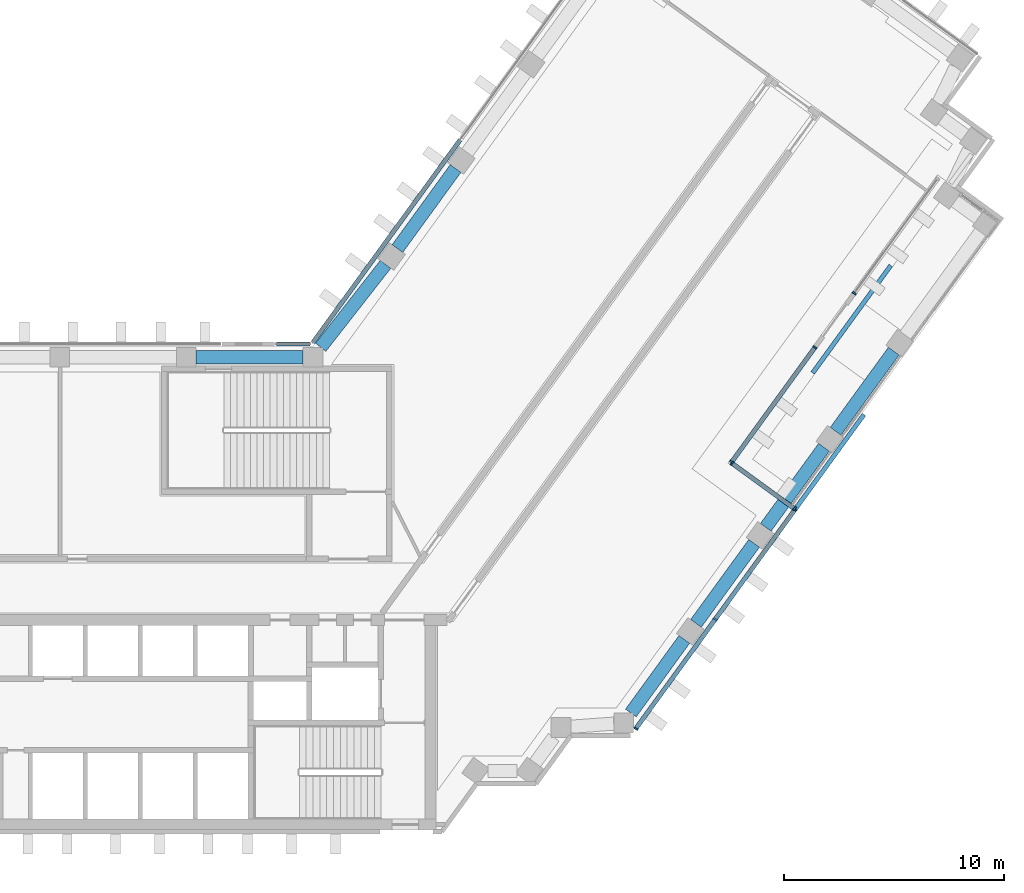
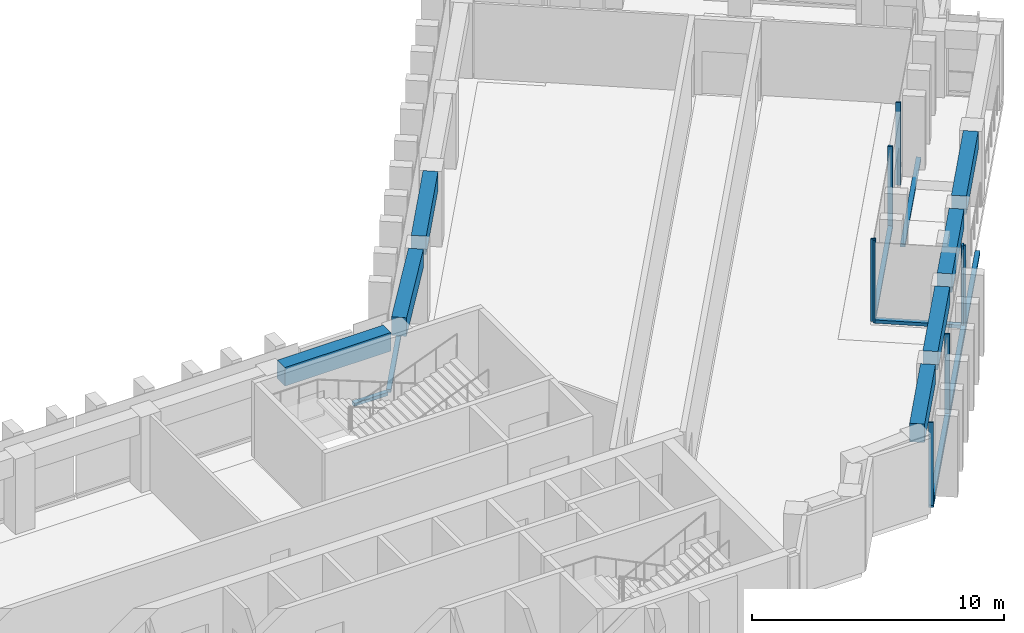
"""IFC4 building model written with IfcOpenShell, lengths in metres."""

from ifc_helpers import new_model, si_unit, direction, frame, origin, origin_2d, place, context, subcontext, project, spatial, rectangle, extrude, material, material_profile, profile_set, type_object, element, aggregate, save


model = new_model("IFC4")

# Units and contexts
model_context = context("Model", 3, precision=1e-05, world=origin(), true_north=direction((0.0, 1.0)))
body_context = subcontext(model_context, "Body", "Model", "MODEL_VIEW")
ifc_project = project(units=[si_unit("LENGTHUNIT", "METRE"), si_unit("AREAUNIT", "SQUARE_METRE"), si_unit("VOLUMEUNIT", "CUBIC_METRE"), si_unit("PLANEANGLEUNIT", "RADIAN"), si_unit("MASSUNIT", "GRAM", prefix="KILO")], contexts=[model_context])

# Site, building, storey
site_placement = place(None, origin())
site = spatial("IfcSite", under=ifc_project, at=site_placement, CompositionType="ELEMENT")
building_placement = place(site_placement, origin())
building = spatial("IfcBuilding", under=site, at=building_placement, Name="Quipu Civic Tower", CompositionType="ELEMENT")
storey_1_placement = place(building_placement, frame((0.0, 0.0, 93.0)))
storey_1 = spatial("IfcBuildingStorey", under=building, at=storey_1_placement, Name="L21", CompositionType="ELEMENT", Elevation=93.0)

# Curtain wall, members
ifc_material_1 = material(Name="Insulated glass unit", Category="glass")
curtain_wall_type = type_object("IfcCurtainWallType", Name="Office curtain wall CW1", PredefinedType="NOTDEFINED", material=ifc_material_1)
curtain_wall_1_placement = place(storey_1_placement, origin())
curtain_wall_1 = element("IfcCurtainWall", 1, at=curtain_wall_1_placement, inside=storey_1, type_object=curtain_wall_type, Name="Office curtain wall CW1 L21 run 1", PredefinedType="NOTDEFINED")
ifc_material_2 = material(Name="Anodised aluminium", Category="aluminium")
ifc_material_profile_1 = material_profile(ifc_material_2, rectangle(XDim=0.199951171875, YDim=0.080078125, at=origin_2d()), Name="RECT 200x80")
ifc_profile_set_1 = profile_set([ifc_material_profile_1], Name="Anodised aluminium")
member_type_1 = type_object("IfcMemberType", Name="Mullion CW1", PredefinedType="MULLION", material=ifc_profile_set_1)
member_1_placement = place(storey_1_placement, frame((29.079345703125, -6.3876953125, 0.080078125), z_axis=(0.0, 0.0, 1.0), x_axis=(-0.809018079784, 0.587783758352, 0.0)))
member_1 = element("IfcMember", 2, at=member_1_placement, type_object=member_type_1, Name="CW1 mullion 1", PredefinedType="MULLION", context=body_context, shape_type="SweptSolid", body=[
    extrude(rectangle(XDim=0.199951171875, YDim=0.080078125, at=origin_2d()), origin(), (0.0, 0.0, 1.0), 4.0),
])
member_2_placement = place(storey_1_placement, frame((32.691650390625, -1.416015625, 0.080078125), z_axis=(0.0, 0.0, 1.0), x_axis=(-0.809018079784, 0.587783758352, 0.0)))
member_2 = element("IfcMember", 3, at=member_2_placement, type_object=member_type_1, Name="CW1 mullion 2", PredefinedType="MULLION", context=body_context, shape_type="SweptSolid", body=[
    extrude(rectangle(XDim=0.199951171875, YDim=0.080078125, at=origin_2d()), origin(), (0.0, 0.0, 1.0), 4.0),
])
member_3_placement = place(storey_1_placement, frame((36.303955078125, 3.555908203125, 0.080078125), z_axis=(0.0, 0.0, 1.0), x_axis=(-0.809018079784, 0.587783758352, 0.0)))
member_3 = element("IfcMember", 4, at=member_3_placement, type_object=member_type_1, Name="CW1 mullion 3", PredefinedType="MULLION", context=body_context, shape_type="SweptSolid", body=[
    extrude(rectangle(XDim=0.199951171875, YDim=0.080078125, at=origin_2d()), origin(), (0.0, 0.0, 1.0), 4.0),
])

curtain_wall_2_placement = place(storey_1_placement, origin())
curtain_wall_2 = element("IfcCurtainWall", 5, at=curtain_wall_2_placement, inside=storey_1, type_object=curtain_wall_type, Name="Office curtain wall CW1 L21 run 2", PredefinedType="NOTDEFINED")
member_4_placement = place(storey_1_placement, frame((36.294921875, 3.61181640625, 0.080078125), z_axis=(0.0, 0.0, 1.0), x_axis=(-0.587788441518, -0.809014677257, 0.0)))
member_4 = element("IfcMember", 6, at=member_4_placement, type_object=member_type_1, Name="CW1 mullion 1", PredefinedType="MULLION", context=body_context, shape_type="SweptSolid", body=[
    extrude(rectangle(XDim=0.199951171875, YDim=0.080078125, at=origin_2d()), origin(), (0.0, 0.0, 1.0), 4.0),
])
member_5_placement = place(storey_1_placement, frame((33.447265625, 5.680908203125, 0.080078125), z_axis=(0.0, 0.0, 1.0), x_axis=(-0.587788441518, -0.809014677257, 0.0)))
member_5 = element("IfcMember", 7, at=member_5_placement, type_object=member_type_1, Name="CW1 mullion 2", PredefinedType="MULLION", context=body_context, shape_type="SweptSolid", body=[
    extrude(rectangle(XDim=0.199951171875, YDim=0.080078125, at=origin_2d()), origin(), (0.0, 0.0, 1.0), 4.0),
])

curtain_wall_3_placement = place(storey_1_placement, origin())
curtain_wall_3 = element("IfcCurtainWall", 8, at=curtain_wall_3_placement, inside=storey_1, type_object=curtain_wall_type, Name="Office curtain wall CW1 L21 run 3", PredefinedType="NOTDEFINED")
member_6_placement = place(storey_1_placement, frame((33.4384765625, 5.736572265625, 0.080078125), z_axis=(0.0, 0.0, 1.0), x_axis=(-0.809022590928, 0.587777549221, 0.0)))
member_6 = element("IfcMember", 9, at=member_6_placement, type_object=member_type_1, Name="CW1 mullion 1", PredefinedType="MULLION", context=body_context, shape_type="SweptSolid", body=[
    extrude(rectangle(XDim=0.199951171875, YDim=0.080078125, at=origin_2d()), origin(), (0.0, 0.0, 1.0), 4.0),
])
member_7_placement = place(storey_1_placement, frame((37.22265625, 10.9453125, 0.080078125), z_axis=(0.0, 0.0, 1.0), x_axis=(-0.809022590928, 0.587777549221, 0.0)))
member_7 = element("IfcMember", 10, at=member_7_placement, type_object=member_type_1, Name="CW1 mullion 2", PredefinedType="MULLION", context=body_context, shape_type="SweptSolid", body=[
    extrude(rectangle(XDim=0.199951171875, YDim=0.080078125, at=origin_2d()), origin(), (0.0, 0.0, 1.0), 4.0),
])

# Curtain wall, member
curtain_wall_4_placement = place(storey_1_placement, origin())
curtain_wall_4 = element("IfcCurtainWall", 11, at=curtain_wall_4_placement, inside=storey_1, type_object=curtain_wall_type, Name="Office curtain wall CW1 L21 run 5", PredefinedType="NOTDEFINED")
member_8_placement = place(storey_1_placement, frame((39.01123046875, 13.406982421875, 0.080078125), z_axis=(0.0, 0.0, 1.0), x_axis=(-0.8090179163, 0.587783983369, 0.0)))
member_8 = element("IfcMember", 12, at=member_8_placement, type_object=member_type_1, Name="CW1 mullion 1", PredefinedType="MULLION", context=body_context, shape_type="SweptSolid", body=[
    extrude(rectangle(XDim=0.199951171875, YDim=0.080078125, at=origin_2d()), origin(), (0.0, 0.0, 1.0), 4.0),
])
aggregate(curtain_wall_4, [member_8])

# Beams
ifc_material_3 = material(Name="Concrete C50/60", Category="concrete")
ifc_material_profile_2 = material_profile(ifc_material_3, rectangle(XDim=0.60009765625, YDim=0.89990234375, at=origin_2d()), Name="RC600x900")
ifc_profile_set_2 = profile_set([ifc_material_profile_2], Name="Concrete C50/60")
beam_type = type_object("IfcBeamType", Name="Spandrel beam RC 600x900 C50/60", PredefinedType="SPANDREL", material=ifc_profile_set_2)
beam_1_placement = place(storey_1_placement, frame((28.85205078125, -5.679931640625, 3.199951171875), z_axis=(0.587750565781, 0.809042194464, 0.0), x_axis=(-0.809042194464, 0.587750565781, 0.0)))
element("IfcBeam", 13, at=beam_1_placement, inside=storey_1, type_object=beam_type, Name="Spandrel beam L21 J-Eo.4 to E-OUT-01", PredefinedType="SPANDREL", context=body_context, shape_type="SweptSolid", body=[
    extrude(rectangle(XDim=0.60009765625, YDim=0.89990234375, at=origin_2d()), origin(), (0.0, 0.0, 1.0), 4.13720703125),
])
beam_2_placement = place(storey_1_placement, frame((31.812744140625, -1.604736328125, 3.199951171875), z_axis=(0.587778073121, 0.809022210299, 0.0), x_axis=(-0.809022210299, 0.587778073121, 0.0)))
element("IfcBeam", 14, at=beam_2_placement, inside=storey_1, type_object=beam_type, Name="Spandrel beam L21 E-OUT-01 to E-OUT-02", PredefinedType="SPANDREL", context=body_context, shape_type="SweptSolid", body=[
    extrude(rectangle(XDim=0.60009765625, YDim=0.89990234375, at=origin_2d()), origin(), (0.0, 0.0, 1.0), 4.5),
])
beam_3_placement = place(storey_1_placement, frame((34.98681640625, 2.76416015625, 3.199951171875), z_axis=(0.587803872688, 0.809003465539, 0.0), x_axis=(-0.809003465539, 0.587803872688, 0.0)))
element("IfcBeam", 15, at=beam_3_placement, inside=storey_1, type_object=beam_type, Name="Spandrel beam L21 E-OUT-02 to E-OUT-03", PredefinedType="SPANDREL", context=body_context, shape_type="SweptSolid", body=[
    extrude(rectangle(XDim=0.60009765625, YDim=0.89990234375, at=origin_2d()), origin(), (0.0, 0.0, 1.0), 4.499755859375),
])
for number, where, z_axis, x_axis, name in (
    (16, (38.160888671875, 7.1328125, 3.199951171875), (0.587778073121, 0.809022210299, 0.0), (-0.809022210299, 0.587778073121, 0.0), "Spandrel beam L21 E-OUT-03 to E-OUT-04"),
    (17, (20.8828125, 19.079833984375, 3.199951171875), (-0.587716763865, -0.809066749701, 0.0), (0.809066749701, -0.587716763865, 0.0), "Spandrel beam L21 E-IN-02 to E-IN-01"),
):
    element("IfcBeam", number, at=place(storey_1_placement, frame(where, z_axis=z_axis, x_axis=x_axis)), inside=storey_1, type_object=beam_type, Name=name, PredefinedType="SPANDREL", context=body_context, shape_type="SweptSolid", body=[
        extrude(rectangle(XDim=0.60009765625, YDim=0.89990234375, at=origin_2d()), origin(), (0.0, 0.0, 1.0), 4.5),
    ])
beam_4_placement = place(storey_1_placement, frame((17.6962890625, 14.72021484375, 3.199951171875), z_axis=(-0.616123961998, -0.787649200756, 0.0), x_axis=(0.787649200756, -0.616123961998, 0.0)))
element("IfcBeam", 18, at=beam_4_placement, inside=storey_1, type_object=beam_type, Name="Spandrel beam L21 E-IN-01 to J-Ei.0", PredefinedType="SPANDREL", context=body_context, shape_type="SweptSolid", body=[
    extrude(rectangle(XDim=0.60009765625, YDim=0.89990234375, at=origin_2d()), origin(), (0.0, 0.0, 1.0), 4.78662109375),
])
beam_5_placement = place(storey_1_placement, frame((13.9453125, 10.5, 3.199951171875), z_axis=(-1.0, 0.0, 0.0), x_axis=(0.0, -1.0, 0.0)))
element("IfcBeam", 19, at=beam_5_placement, inside=storey_1, type_object=beam_type, Name="Spandrel beam L21 J-Ei.0 to FRONT-01", PredefinedType="SPANDREL", context=body_context, shape_type="SweptSolid", body=[
    extrude(rectangle(XDim=0.60009765625, YDim=0.89990234375, at=origin_2d()), origin(), (0.0, 0.0, 1.0), 4.858154296875),
])

# Storey
storey_2_placement = place(building_placement, frame((0.0, 0.0, 89.0)))
storey_2 = spatial("IfcBuildingStorey", under=building, at=storey_2_placement, Name="L20", CompositionType="ELEMENT", Elevation=89.0)

# Curtain wall, members
curtain_wall_5_placement = place(storey_2_placement, origin())
curtain_wall_5 = element("IfcCurtainWall", 20, at=curtain_wall_5_placement, inside=storey_2, type_object=curtain_wall_type, Name="Office curtain wall CW1 L20 run 1", PredefinedType="NOTDEFINED")
ifc_material_4 = material(Name="Anodised aluminium", Category="aluminium")
ifc_material_profile_3 = material_profile(ifc_material_4, rectangle(XDim=0.199951171875, YDim=0.159912109375, at=origin_2d()), Name="RECT 200x160")
ifc_profile_set_3 = profile_set([ifc_material_profile_3], Name="Anodised aluminium")
member_type_2 = type_object("IfcMemberType", Name="Transom CW1", PredefinedType="USERDEFINED", material=ifc_profile_set_3)
member_9_placement = place(storey_1_placement, frame((29.10302734375, -6.35546875, 0.0), z_axis=(0.587769195316, 0.809028660207, 0.0), x_axis=(-0.809028660207, 0.587769195316, 0.0)))
member_9 = element("IfcMember", 21, at=member_9_placement, inside=storey_1, type_object=member_type_2, Name="CW1 transom 1.2", ObjectType="TRANSOM", PredefinedType="USERDEFINED", context=body_context, shape_type="SweptSolid", body=[
    extrude(rectangle(XDim=0.199951171875, YDim=0.159912109375, at=origin_2d()), origin(), (0.0, 0.0, 1.0), 8.765625),
])
member_10_placement = place(storey_1_placement, frame((34.30224609375, 0.80078125, 0.0), z_axis=(0.587787425027, 0.809015415786, 0.0), x_axis=(-0.809015415786, 0.587787425027, 0.0)))
member_10 = element("IfcMember", 22, at=member_10_placement, inside=storey_1, type_object=member_type_2, Name="CW1 transom 2.2", ObjectType="TRANSOM", PredefinedType="USERDEFINED", context=body_context, shape_type="SweptSolid", body=[
    extrude(rectangle(XDim=0.199951171875, YDim=0.159912109375, at=origin_2d()), origin(), (0.0, 0.0, 1.0), 8.765625),
])
aggregate(curtain_wall_5, [member_9, member_10])

# Curtain wall, member
curtain_wall_6_placement = place(storey_2_placement, origin())
curtain_wall_6 = element("IfcCurtainWall", 23, at=curtain_wall_6_placement, inside=storey_2, type_object=curtain_wall_type, Name="Office curtain wall CW1 L20 run 3", PredefinedType="NOTDEFINED")
member_11_placement = place(storey_1_placement, frame((37.121337890625, 9.784912109375, 0.0), z_axis=(0.587779914498, 0.809020872482, 0.0), x_axis=(-0.809020872482, 0.587779914498, 0.0)))
member_11 = element("IfcMember", 24, at=member_11_placement, inside=storey_1, type_object=member_type_2, Name="CW1 transom 1.2", ObjectType="TRANSOM", PredefinedType="USERDEFINED", context=body_context, shape_type="SweptSolid", body=[
    extrude(rectangle(XDim=0.199951171875, YDim=0.159912109375, at=origin_2d()), origin(), (0.0, 0.0, 1.0), 6.04052734375),
])
aggregate(curtain_wall_6, [member_11])

curtain_wall_7_placement = place(storey_2_placement, origin())
curtain_wall_7 = element("IfcCurtainWall", 25, at=curtain_wall_7_placement, inside=storey_2, type_object=curtain_wall_type, Name="Office curtain wall CW1 L19 run 11", PredefinedType="NOTDEFINED")
member_12_placement = place(storey_1_placement, frame((21.09326171875, 20.38916015625, 0.080078125), z_axis=(-0.587799878401, -0.809006367683, 0.0), x_axis=(0.809006367683, -0.587799878401, 0.0)))
member_12 = element("IfcMember", 26, at=member_12_placement, inside=storey_1, type_object=member_type_2, Name="CW1 transom 2.3", ObjectType="TRANSOM", PredefinedType="USERDEFINED", context=body_context, shape_type="SweptSolid", body=[
    extrude(rectangle(XDim=0.199951171875, YDim=0.159912109375, at=origin_2d()), origin(), (0.0, 0.0, 1.0), 11.402099609375),
])
aggregate(curtain_wall_7, [member_12])

curtain_wall_8_placement = place(storey_2_placement, origin())
curtain_wall_8 = element("IfcCurtainWall", 27, at=curtain_wall_8_placement, inside=storey_2, type_object=curtain_wall_type, Name="Office curtain wall CW1 L19 run 12", PredefinedType="NOTDEFINED")
member_13_placement = place(storey_1_placement, frame((14.26416015625, 11.10009765625, 0.080078125), z_axis=(-1.0, 0.0, 0.0), x_axis=(0.0, -1.0, 0.0)))
member_13 = element("IfcMember", 28, at=member_13_placement, inside=storey_1, type_object=member_type_2, Name="CW1 transom 1.3", ObjectType="TRANSOM", PredefinedType="USERDEFINED", context=body_context, shape_type="SweptSolid", body=[
    extrude(rectangle(XDim=0.199951171875, YDim=0.159912109375, at=origin_2d()), origin(), (0.0, 0.0, 1.0), 1.529052734375),
])
aggregate(curtain_wall_8, [member_13])

# Member
member_14_placement = place(storey_1_placement, frame((29.10302734375, -6.35546875, 0.159912109375), z_axis=(0.587771953411, 0.809026656411, 0.0), x_axis=(-0.809026656411, 0.587771953411, 0.0)))
member_14 = element("IfcMember", 29, at=member_14_placement, type_object=member_type_2, Name="CW1 transom 1.1", ObjectType="TRANSOM", PredefinedType="USERDEFINED", context=body_context, shape_type="SweptSolid", body=[
    extrude(rectangle(XDim=0.199951171875, YDim=0.159912109375, at=origin_2d()), origin(), (0.0, 0.0, 1.0), 6.065673828125),
])

member_15_placement = place(storey_1_placement, frame((32.715087890625, -1.383544921875, 0.159912109375), z_axis=(0.587771953411, 0.809026656411, 0.0), x_axis=(-0.809026656411, 0.587771953411, 0.0)))
member_15 = element("IfcMember", 30, at=member_15_placement, type_object=member_type_2, Name="CW1 transom 2.1", ObjectType="TRANSOM", PredefinedType="USERDEFINED", context=body_context, shape_type="SweptSolid", body=[
    extrude(rectangle(XDim=0.199951171875, YDim=0.159912109375, at=origin_2d()), origin(), (0.0, 0.0, 1.0), 6.065673828125),
])

aggregate(curtain_wall_1, [member_1, member_2, member_3, member_14, member_15])

member_16_placement = place(storey_1_placement, frame((36.2626953125, 3.63525390625, 0.159912109375), z_axis=(-0.809012211288, 0.58779183559, 0.0), x_axis=(-0.58779183559, -0.809012211288, 0.0)))
member_16 = element("IfcMember", 31, at=member_16_placement, type_object=member_type_2, Name="CW1 transom 1.1", ObjectType="TRANSOM", PredefinedType="USERDEFINED", context=body_context, shape_type="SweptSolid", body=[
    extrude(rectangle(XDim=0.199951171875, YDim=0.159912109375, at=origin_2d()), origin(), (0.0, 0.0, 1.0), 3.43994140625),
])

aggregate(curtain_wall_2, [member_4, member_5, member_16])

member_17_placement = place(storey_1_placement, frame((33.4619140625, 5.76904296875, 0.159912109375), z_axis=(0.587797201853, 0.809008312376, 0.0), x_axis=(-0.809008312376, 0.587797201853, 0.0)))
member_17 = element("IfcMember", 32, at=member_17_placement, type_object=member_type_2, Name="CW1 transom 1.1", ObjectType="TRANSOM", PredefinedType="USERDEFINED", context=body_context, shape_type="SweptSolid", body=[
    extrude(rectangle(XDim=0.199951171875, YDim=0.159912109375, at=origin_2d()), origin(), (0.0, 0.0, 1.0), 6.358154296875),
])

aggregate(curtain_wall_3, [member_6, member_7, member_17])

save(model, "model.ifc")
